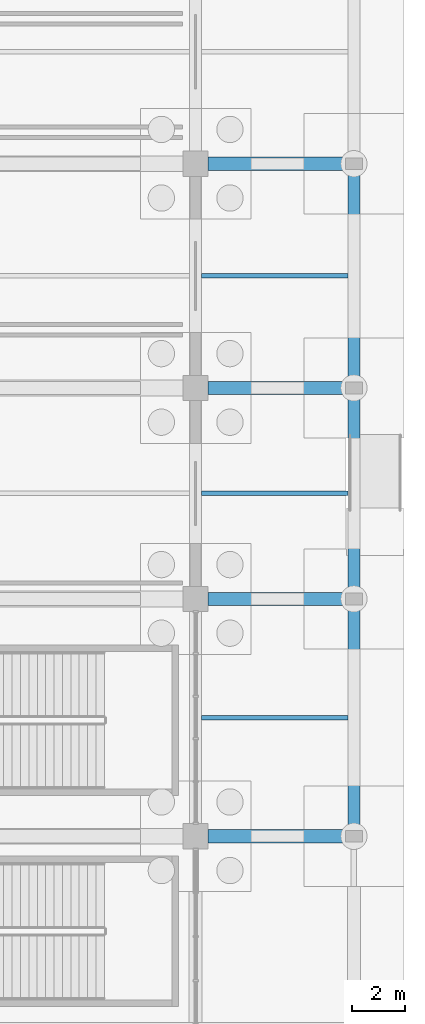
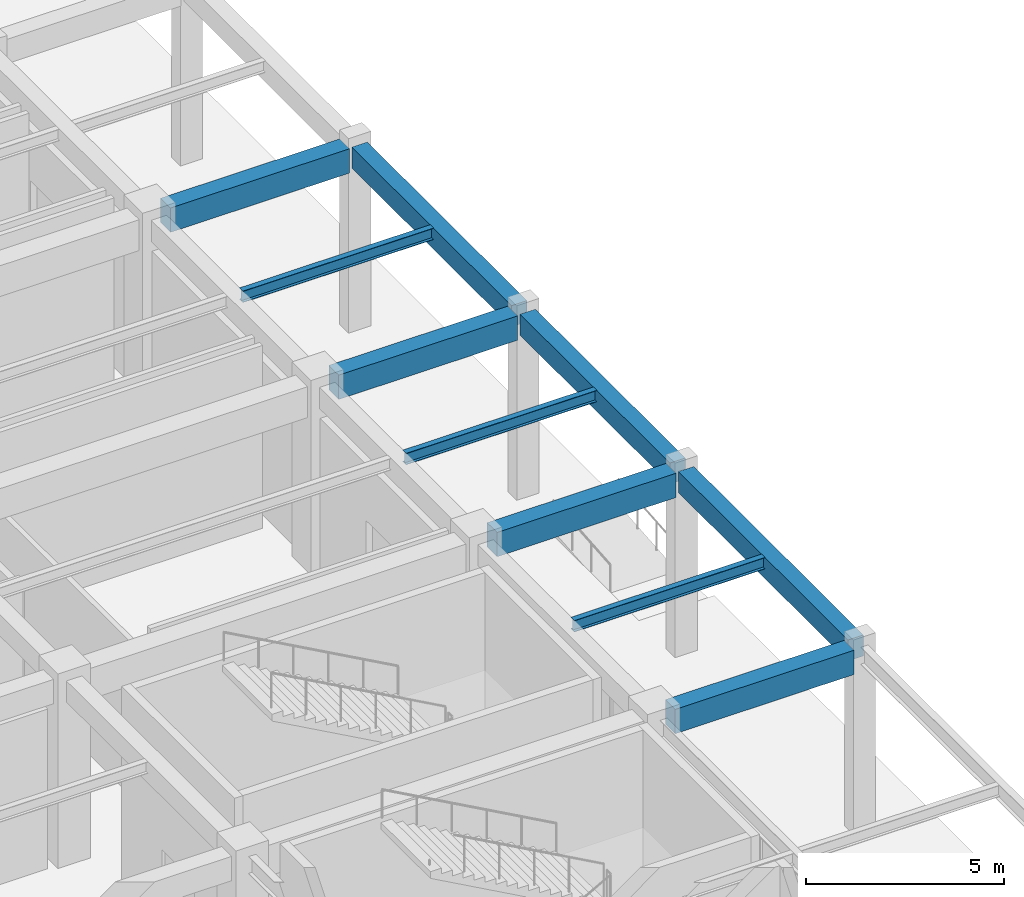
# One storey, part 57 of 121: 10 beams.
"""IFC4 building model written with IfcOpenShell, lengths in metres."""

from ifc_helpers import new_model, si_unit, direction, frame, origin, origin_2d, place, context, subcontext, project, spatial, rectangle, i_section, extrude, material, material_profile, profile_set, type_object, element, save


model = new_model("IFC4")

# Units and contexts
model_context = context("Model", 3, precision=1e-05, world=origin(), true_north=direction((0.0, 1.0)))
body_context = subcontext(model_context, "Body", "Model", "MODEL_VIEW")
ifc_project = project(units=[si_unit("LENGTHUNIT", "METRE"), si_unit("AREAUNIT", "SQUARE_METRE"), si_unit("VOLUMEUNIT", "CUBIC_METRE"), si_unit("PLANEANGLEUNIT", "RADIAN"), si_unit("MASSUNIT", "GRAM", prefix="KILO")], contexts=[model_context])

# Site, building, storey
site_placement = place(None, origin())
site = spatial("IfcSite", under=ifc_project, at=site_placement, CompositionType="ELEMENT")
building_placement = place(site_placement, origin())
building = spatial("IfcBuilding", under=site, at=building_placement, Name="Cuetzalor Civic Arena", CompositionType="ELEMENT")
storey_placement = place(building_placement, origin())
storey = spatial("IfcBuildingStorey", under=building, at=storey_placement, Name="L00", CompositionType="ELEMENT", Elevation=0.0)

# Beams
ifc_material_1 = material(Name="Concrete C40/50", Category="concrete")
ifc_material_profile_1 = material_profile(ifc_material_1, rectangle(XDim=0.5, YDim=0.75, at=origin_2d()), Name="RC 500x750")
ifc_profile_set_1 = profile_set([ifc_material_profile_1], Name="Concrete C40/50")
beam_type_1 = type_object("IfcBeamType", Name="ConcreteFrameBeam_500x750", PredefinedType="BEAM", material=ifc_profile_set_1)
for number, where, z_axis, x_axis, name in (
    (1, (76.465087890625, -34.0, 5.324951171875), (1.0, 0.0, 0.0), (0.0, 1.0, 0.0), "Frame Girder V4E-L00-X0146"),
    (2, (76.465087890625, -25.0, 5.324951171875), (1.0, 0.0, 0.0), (0.0, 1.0, 0.0), "Frame Girder V4E-L00-X0149"),
    (3, (76.465087890625, -17.0, 5.324951171875), (1.0, 0.0, 0.0), (0.0, 1.0, 0.0), "Frame Girder V4E-L00-X0152"),
    (4, (76.465087890625, -8.5, 5.324951171875), (1.0, 0.0, 0.0), (0.0, 1.0, 0.0), "Frame Girder V4E-L00-X0155"),
):
    element("IfcBeam", number, at=place(storey_placement, frame(where, z_axis=z_axis, x_axis=x_axis)), inside=storey, type_object=beam_type_1, Name=name, PredefinedType="BEAM", context=body_context, shape_type="SweptSolid", body=[
        extrude(rectangle(XDim=0.5, YDim=0.75, at=origin_2d()), origin(), (0.0, 0.0, 1.0), 5.219970703125),
    ])
ifc_material_2 = material(Name="Concrete C40/50", Category="concrete")
ifc_material_profile_2 = material_profile(ifc_material_2, rectangle(XDim=0.449951171875, YDim=0.64990234375, at=origin_2d()), Name="RC 450x650")
ifc_profile_set_2 = profile_set([ifc_material_profile_2], Name="Concrete C40/50")
beam_type_2 = type_object("IfcBeamType", Name="ConcreteTieBeam_450x650", PredefinedType="BEAM", material=ifc_profile_set_2)
beam_1_placement = place(storey_placement, frame((82.0, -33.784912109375, 5.375), z_axis=(0.0, 1.0, 0.0), x_axis=(-1.0, 0.0, 0.0)))
element("IfcBeam", 5, at=beam_1_placement, inside=storey, type_object=beam_type_2, Name="Frame Girder V4E-L00-Y0205", PredefinedType="BEAM", context=body_context, shape_type="SweptSolid", body=[
    extrude(rectangle(XDim=0.449951171875, YDim=0.64990234375, at=origin_2d()), origin(), (0.0, 0.0, 1.0), 8.56982421875),
])
beam_2_placement = place(storey_placement, frame((82.0, -24.784912109375, 5.375), z_axis=(0.0, 1.0, 0.0), x_axis=(-1.0, 0.0, 0.0)))
element("IfcBeam", 6, at=beam_2_placement, inside=storey, type_object=beam_type_2, Name="Frame Girder V4E-L00-Y0206", PredefinedType="BEAM", context=body_context, shape_type="SweptSolid", body=[
    extrude(rectangle(XDim=0.449951171875, YDim=0.64990234375, at=origin_2d()), origin(), (0.0, 0.0, 1.0), 7.56982421875),
])
beam_3_placement = place(storey_placement, frame((82.0, -16.784912109375, 5.375), z_axis=(0.0, 1.0, 0.0), x_axis=(-1.0, 0.0, 0.0)))
element("IfcBeam", 7, at=beam_3_placement, inside=storey, type_object=beam_type_2, Name="Frame Girder V4E-L00-Y0207", PredefinedType="BEAM", context=body_context, shape_type="SweptSolid", body=[
    extrude(rectangle(XDim=0.449951171875, YDim=0.64990234375, at=origin_2d()), origin(), (0.0, 0.0, 1.0), 8.06982421875),
])
ifc_material_3 = material(Name="Steel S355", Category="steel")
ifc_material_profile_3 = material_profile(ifc_material_3, i_section(OverallWidth=0.1708984375, OverallDepth=0.35498046875, WebThickness=0.007080078125, FlangeThickness=0.01171875, at=origin_2d()), Name="W360x51")
ifc_profile_set_3 = profile_set([ifc_material_profile_3], Name="Steel S355")
beam_type_3 = type_object("IfcBeamType", Name="SecondaryFloorJoist_W360", PredefinedType="JOIST", material=ifc_profile_set_3)
for number, where, z_axis, x_axis, name in (
    (8, (76.217041015625, -29.5, 5.5224609375), (1.0, 0.0, 0.0), (0.0, 1.0, 0.0), "Secondary Floor Joist V4E-L00-0063"),
    (9, (76.217041015625, -21.0, 5.5224609375), (1.0, 0.0, 0.0), (0.0, 1.0, 0.0), "Secondary Floor Joist V4E-L00-0064"),
    (10, (76.217041015625, -12.75, 5.5224609375), (1.0, 0.0, 0.0), (0.0, 1.0, 0.0), "Secondary Floor Joist V4E-L00-0065"),
):
    element("IfcBeam", number, at=place(storey_placement, frame(where, z_axis=z_axis, x_axis=x_axis)), inside=storey, type_object=beam_type_3, Name=name, PredefinedType="JOIST", context=body_context, shape_type="SweptSolid", body=[
        extrude(i_section(OverallWidth=0.1708984375, OverallDepth=0.35498046875, WebThickness=0.007080078125, FlangeThickness=0.01171875, at=origin_2d()), origin(), (0.0, 0.0, 1.0), 5.56591796875),
    ])

save(model, "model.ifc")
